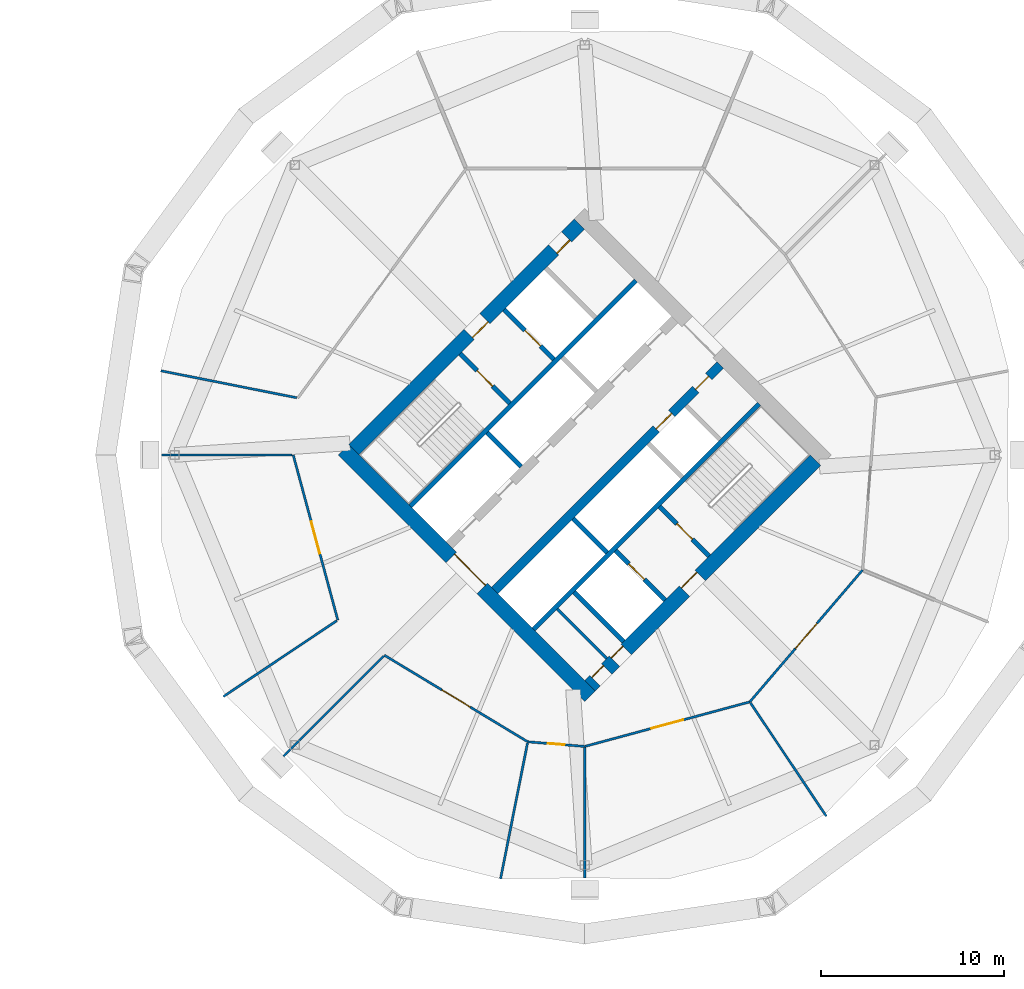
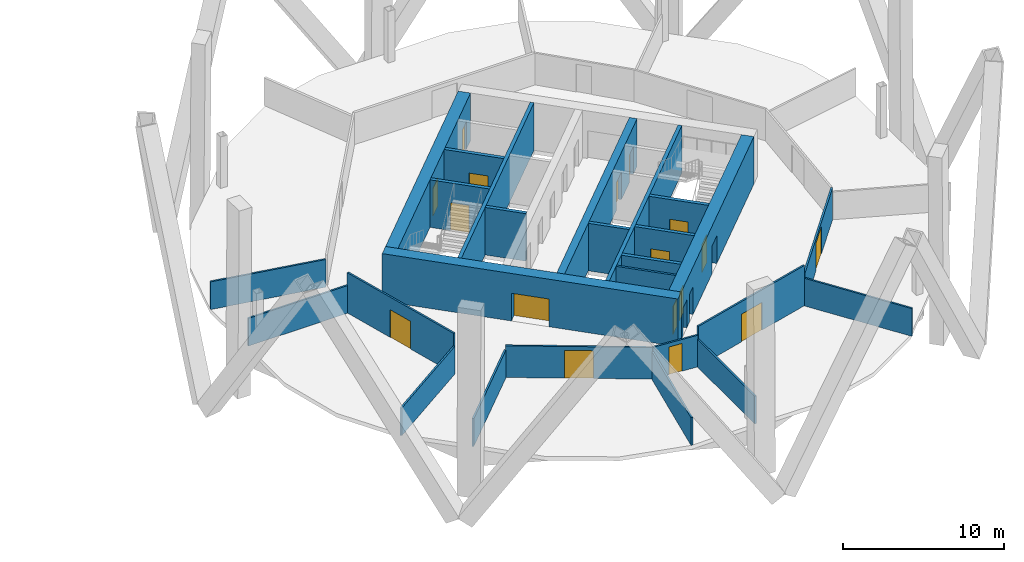
# One storey, part 6 of 10: 26 walls, 17 doors, 17 openings.
"""IFC4 building model written with IfcOpenShell, lengths in metres."""

import ifcopenshell
import ifcopenshell.guid

model = None  # the IFC model being written
_history = None  # IfcOwnerHistory: only IFC2X3 demands one
_inside = {}  # id of a spatial element -> (the spatial element, [elements in it])
_under = {}  # id of a project, library or spatial element -> (it, [spatial elements below it])
_declared = {}  # id of a project -> (the project, [libraries it declares])
_typed = {}  # id of a type object -> (the type object, [elements of that type])
_made_of = {}  # id of a material, layer set ... -> (it, [elements and type objects made of it])


def new_model(schema):
    """Start an empty IFC model of exactly this schema.

    Asked for "IFC4X3", IfcOpenShell would pick the latest addendum, in which some entities
    have other attributes; the version numbers below select the first issue.
    IFC2X3 requires an IfcOwnerHistory on every rooted entity: one is made here for all.
    """
    global model, _history
    if schema == "IFC4X3":
        model = ifcopenshell.file(schema_version=(4, 3, 0, 0))
    else:
        model = ifcopenshell.file(schema=schema)
    _inside.clear()
    _under.clear()
    _declared.clear()
    _typed.clear()
    _made_of.clear()
    _history = None
    if model.schema == "IFC2X3":
        org = make("IfcOrganization", Name="unknown")
        user = make(
            "IfcPersonAndOrganization",
            ThePerson=make("IfcPerson", FamilyName="unknown"),
            TheOrganization=org,
        )
        app = make(
            "IfcApplication",
            ApplicationDeveloper=org,
            Version="unknown",
            ApplicationFullName="unknown",
            ApplicationIdentifier="unknown",
        )
        _history = make(
            "IfcOwnerHistory",
            OwningUser=user,
            OwningApplication=app,
            ChangeAction="ADDED",
            CreationDate=0,
        )
    return model


def make(cls, **values):
    """One entity of the class cls with the attributes given. An attribute that is None is left unset."""
    return model.create_entity(
        cls, **{name: value for name, value in values.items() if value is not None}
    )


def rooted(cls, **values):
    """An entity with a GlobalId (a new one), such as an element, a storey or a relation."""
    return make(cls, GlobalId=ifcopenshell.guid.new(), OwnerHistory=_history, **values)


def si_unit(unit_type, name, prefix=None):
    """IfcSIUnit, for example si_unit("LENGTHUNIT", "METRE", prefix="MILLI")."""
    return make("IfcSIUnit", UnitType=unit_type, Prefix=prefix, Name=name)


def assignment(units):
    """IfcUnitAssignment: the units of a project."""
    return None if units is None else make("IfcUnitAssignment", Units=units)


def point(xyz):
    """IfcCartesianPoint."""
    return None if xyz is None else make("IfcCartesianPoint", Coordinates=xyz)


def direction(xyz):
    """IfcDirection."""
    return None if xyz is None else make("IfcDirection", DirectionRatios=xyz)


def frame(location, z_axis=None, x_axis=None):
    """IfcAxis2Placement3D, a coordinate frame: its origin and axes. An axis left out is left unset."""
    return make(
        "IfcAxis2Placement3D",
        Location=point(location),
        Axis=direction(z_axis),
        RefDirection=direction(x_axis),
    )


def frame_2d(location, x_axis=None):
    """IfcAxis2Placement2D, a coordinate frame in the plane: its origin and x axis."""
    return make(
        "IfcAxis2Placement2D", Location=point(location), RefDirection=direction(x_axis)
    )


def origin():
    """The frame at (0, 0, 0) with its axes left unset."""
    return frame((0.0, 0.0, 0.0))


def place(relative_to, where):
    """IfcLocalPlacement: puts the frame where relative to a parent placement (None: the world)."""
    return make(
        "IfcLocalPlacement", PlacementRelTo=relative_to, RelativePlacement=where
    )


def context(
    kind, dimensions, precision=None, world=None, true_north=None, identifier=None
):
    """IfcGeometricRepresentationContext, for example the 3D "Model" context."""
    return make(
        "IfcGeometricRepresentationContext",
        ContextIdentifier=identifier,
        ContextType=kind,
        CoordinateSpaceDimension=dimensions,
        Precision=precision,
        WorldCoordinateSystem=world,
        TrueNorth=true_north,
    )


def subcontext(parent, identifier, kind, view, scale=None):
    """IfcGeometricRepresentationSubContext, for example "Body" below "Model"."""
    return make(
        "IfcGeometricRepresentationSubContext",
        ContextIdentifier=identifier,
        ContextType=kind,
        ParentContext=parent,
        TargetScale=scale,
        TargetView=view,
    )


def project(units=None, contexts=None):
    """IfcProject with its units and contexts."""
    return rooted(
        "IfcProject",
        Name="project",
        RepresentationContexts=contexts,
        UnitsInContext=assignment(units),
    )


def spatial(cls, under=None, at=None, **own):
    """A site, building, storey or space (cls), placed at a placement, below another one or the project."""
    s = rooted(cls, ObjectPlacement=at, **own)
    if under is not None:
        _under.setdefault(under.id(), (under, []))[1].append(s)
    return s


def profile(cls, at=None, kind="AREA", **sizes):
    """A parametric profile (cls). Its sizes go by their IFC names, for example OverallWidth=200.0."""
    return make(cls, ProfileType=kind, Position=at, **sizes)


def rectangle(**sizes):
    """IfcRectangleProfileDef."""
    return profile("IfcRectangleProfileDef", **sizes)


def extrude(swept, where, along, depth):
    """IfcExtrudedAreaSolid: the profile swept, set in the frame where, extruded along a direction by depth."""
    return make(
        "IfcExtrudedAreaSolid",
        SweptArea=swept,
        Position=where,
        ExtrudedDirection=direction(along),
        Depth=depth,
    )


def shape(context_of_items, identifier, shape_type, items):
    """IfcShapeRepresentation: the items that make up one representation, for example the "Body"."""
    return make(
        "IfcShapeRepresentation",
        ContextOfItems=context_of_items,
        RepresentationIdentifier=identifier,
        RepresentationType=shape_type,
        Items=items,
    )


def material(Name=None, Category=None):
    """IfcMaterial."""
    return make("IfcMaterial", Name=Name, Category=Category)


def layer(
    of_material, thickness, ventilated=None, Name=None, Category=None, Priority=None
):
    """IfcMaterialLayer: one layer of a wall or slab, of a material (None: an air gap)."""
    return make(
        "IfcMaterialLayer",
        Material=of_material,
        LayerThickness=thickness,
        IsVentilated=ventilated,
        Name=Name,
        Category=Category,
        Priority=Priority,
    )


def layer_set(layers, Name=None):
    """IfcMaterialLayerSet."""
    return make("IfcMaterialLayerSet", MaterialLayers=layers, LayerSetName=Name)


def made_of(thing, what):
    """Note that an element or type object is made of a material, layer set ...; save() writes the relation."""
    if what is not None:
        _made_of.setdefault(what.id(), (what, []))[1].append(thing)
    return thing


def type_object(cls, material=None, **own):
    """A type object (cls), such as IfcWallType, which elements share."""
    return made_of(rooted(cls, **own), material)


def element(
    cls,
    number,
    at=None,
    inside=None,
    cuts=None,
    type_object=None,
    material=None,
    context=None,
    identifier="Body",
    shape_type=None,
    held_by="IfcProductDefinitionShape",
    body=None,
    shapes=None,
    **own,
):
    """One element of the class cls, such as IfcWall. Its Tag is "e" and its number.

    at: its placement. inside: the storey or other place that contains it. cuts: it is an
    opening in that element (IfcRelVoidsElement). A single representation is given by context,
    identifier, shape_type and body (its items); several are given by shapes. held_by: the class
    of the entity that holds the representations. save() writes the other relations.
    """
    e = rooted(cls, Tag="e%d" % number, ObjectPlacement=at, **own)
    if body is not None:
        shapes = [shape(context, identifier, shape_type, body)]
    if shapes is not None:
        e.Representation = make(held_by, Representations=shapes)
    if inside is not None:
        _inside.setdefault(inside.id(), (inside, []))[1].append(e)
    if cuts is not None:
        rooted(
            "IfcRelVoidsElement", RelatingBuildingElement=cuts, RelatedOpeningElement=e
        )
    if type_object is not None:
        _typed.setdefault(type_object.id(), (type_object, []))[1].append(e)
    return made_of(e, material)


def fill(opening, filler):
    """IfcRelFillsElement: the door or window that sits in an opening."""
    return rooted(
        "IfcRelFillsElement",
        RelatingOpeningElement=opening,
        RelatedBuildingElement=filler,
    )


def aggregate(whole, parts):
    """IfcRelAggregates: a whole, such as a stair, and the parts it consists of."""
    return rooted("IfcRelAggregates", RelatingObject=whole, RelatedObjects=parts)


def save(model, path):
    """Write the relations noted so far, then the file.

    IfcRelAggregates (storeys below a building ...), IfcRelContainedInSpatialStructure (elements
    in a storey), IfcRelDefinesByType, IfcRelAssociatesMaterial and IfcRelDeclares: one each for
    every whole, place, type object, material and project.
    """
    for whole, parts in _under.values():
        aggregate(whole, parts)
    for where, things in _inside.values():
        rooted(
            "IfcRelContainedInSpatialStructure",
            RelatedElements=things,
            RelatingStructure=where,
        )
    for kind, things in _typed.values():
        rooted("IfcRelDefinesByType", RelatedObjects=things, RelatingType=kind)
    for what, things in _made_of.values():
        rooted("IfcRelAssociatesMaterial", RelatedObjects=things, RelatingMaterial=what)
    for by, libraries in _declared.values():
        rooted("IfcRelDeclares", RelatingContext=by, RelatedDefinitions=libraries)
    model.write(path)


model = new_model("IFC4")

# Units and contexts
model_context = context("Model", 3, precision=1e-05, world=origin(), true_north=direction((0.0, 1.0)))
body_context = subcontext(model_context, "Body", "Model", "MODEL_VIEW")
ifc_project = project(units=[si_unit("LENGTHUNIT", "METRE"), si_unit("AREAUNIT", "SQUARE_METRE"), si_unit("VOLUMEUNIT", "CUBIC_METRE"), si_unit("PLANEANGLEUNIT", "RADIAN"), si_unit("MASSUNIT", "GRAM", prefix="KILO")], contexts=[model_context])

# Site, building, storey
site_placement = place(None, origin())
site = spatial("IfcSite", under=ifc_project, at=site_placement, CompositionType="ELEMENT")
building_placement = place(site_placement, origin())
building = spatial("IfcBuilding", under=site, at=building_placement, Name="Ogive Gate Towers", CompositionType="ELEMENT")
storey_placement = place(building_placement, frame((0.0, 0.0, 119.10009765625)))
storey = spatial("IfcBuildingStorey", under=building, at=storey_placement, Name="L28", CompositionType="ELEMENT", Elevation=119.10009765625)

# Wall, openings, doors
ifc_material_1 = material(Name="Concrete C60/75", Category="concrete")
ifc_layer_1 = layer(ifc_material_1, 0.800048828125)
ifc_layer_set_1 = layer_set([ifc_layer_1], Name="Core wall 800 mm")
wall_type_1 = type_object("IfcWallType", Name="Core wall 800 mm", PredefinedType="SHEAR", material=ifc_layer_set_1)
wall_1_placement = place(storey_placement, frame((36.28271484375, -12.58642578125, 0.0), z_axis=(0.0, 0.0, 1.0), x_axis=(0.707106781187, 0.707106781187, 0.0)))
wall_1 = element("IfcWall", 1, at=wall_1_placement, inside=storey, type_object=wall_type_1, Name="T2 L28 Core wall 800 mm", PredefinedType="SHEAR", context=body_context, shape_type="SweptSolid", body=[
    extrude(rectangle(XDim=17.400146484375, YDim=0.800048828125, at=frame_2d((8.7001953125, 0.0))), origin(), (0.0, 0.0, 1.0), 3.599853515625),
])
opening_1_placement = place(wall_1_placement, frame((7.300048828125, 0.0, 0.0)))
opening_1 = element("IfcOpeningElement", 2, at=opening_1_placement, cuts=wall_1, Name="Opening KD-T2-L28-16", PredefinedType="OPENING", context=body_context, shape_type="SweptSolid", body=[
    extrude(rectangle(XDim=1.199951171875, YDim=2.10009765625, at=frame_2d((0.60009765625, 1.050048828125))), frame((0.0, 0.41015625, 0.0), z_axis=(0.0, -1.0, 0.0), x_axis=(1.0, 0.0, 0.0)), (0.0, 0.0, 1.0), 0.820068359375),
])
opening_2_placement = place(wall_1_placement, frame((0.39990234375, 0.0, 0.0)))
opening_2 = element("IfcOpeningElement", 3, at=opening_2_placement, cuts=wall_1, Name="Opening KD-T2-L28-18", PredefinedType="OPENING", context=body_context, shape_type="SweptSolid", body=[
    extrude(rectangle(XDim=0.89990234375, YDim=2.10009765625, at=frame_2d((0.449951171875, 1.050048828125))), frame((0.0, 0.41015625, 0.0), z_axis=(0.0, -1.0, 0.0), x_axis=(1.0, 0.0, 0.0)), (0.0, 0.0, 1.0), 0.820068359375),
])
opening_3_placement = place(wall_1_placement, frame((1.89990234375, 0.0, 0.0)))
opening_3 = element("IfcOpeningElement", 4, at=opening_3_placement, cuts=wall_1, Name="Opening KD-T2-L28-19", PredefinedType="OPENING", context=body_context, shape_type="SweptSolid", body=[
    extrude(rectangle(XDim=0.89990234375, YDim=2.10009765625, at=frame_2d((0.449951171875, 1.050048828125))), frame((0.0, 0.41015625, 0.0), z_axis=(0.0, -1.0, 0.0), x_axis=(1.0, 0.0, 0.0)), (0.0, 0.0, 1.0), 0.820068359375),
])
ifc_material_2 = material(Name="Timber door", Category="wood")
door_type_1 = type_object("IfcDoorType", Name="Core WC door 900 x 2100", OperationType="NOTDEFINED", PredefinedType="DOOR", material=ifc_material_2)
door_1_placement = place(opening_2_placement, origin())
door_1 = element("IfcDoor", 5, at=door_1_placement, inside=storey, type_object=door_type_1, Name="T2 L28 Core door", OperationType="SINGLE_SWING_LEFT", OverallHeight=2.10009765625, OverallWidth=0.89990234375, PredefinedType="DOOR", context=body_context, shape_type="SweptSolid", body=[
    extrude(rectangle(XDim=0.89990234375, YDim=2.10009765625, at=frame_2d((0.449951171875, 1.050048828125))), frame((0.0, 0.27490234375, 0.0), z_axis=(0.0, -1.0, 0.0), x_axis=(1.0, 0.0, 0.0)), (0.0, 0.0, 1.0), 0.050048828125),
])
fill(opening_2, door_1)
door_2_placement = place(opening_3_placement, origin())
door_2 = element("IfcDoor", 6, at=door_2_placement, inside=storey, type_object=door_type_1, Name="T2 L28 Core door", OperationType="SINGLE_SWING_RIGHT", OverallHeight=2.10009765625, OverallWidth=0.89990234375, PredefinedType="DOOR", context=body_context, shape_type="SweptSolid", body=[
    extrude(rectangle(XDim=0.89990234375, YDim=2.10009765625, at=frame_2d((0.449951171875, 1.050048828125))), frame((0.0, 0.27490234375, 0.0), z_axis=(0.0, -1.0, 0.0), x_axis=(1.0, 0.0, 0.0)), (0.0, 0.0, 1.0), 0.050048828125),
])
fill(opening_3, door_2)
ifc_material_3 = material(Name="Steel fire door", Category="steel")
door_type_2 = type_object("IfcDoorType", Name="Core door FD60S 1200 x 2100", OperationType="NOTDEFINED", PredefinedType="DOOR", material=ifc_material_3)
door_3_placement = place(opening_1_placement, origin())
door_3 = element("IfcDoor", 7, at=door_3_placement, inside=storey, type_object=door_type_2, Name="T2 L28 Fire-fighting lobby door", OperationType="SINGLE_SWING_LEFT", OverallHeight=2.10009765625, OverallWidth=1.199951171875, PredefinedType="DOOR", context=body_context, shape_type="SweptSolid", body=[
    extrude(rectangle(XDim=1.199951171875, YDim=2.10009765625, at=frame_2d((0.60009765625, 1.050048828125))), frame((0.0, 0.27490234375, 0.0), z_axis=(0.0, -1.0, 0.0), x_axis=(1.0, 0.0, 0.0)), (0.0, 0.0, 1.0), 0.050048828125),
])
fill(opening_1, door_3)

wall_2_placement = place(storey_placement, frame((23.41357421875, 0.28271484375, 0.0), z_axis=(0.0, 0.0, 1.0), x_axis=(0.707106781187, 0.707106781187, 0.0)))
wall_2 = element("IfcWall", 8, at=wall_2_placement, inside=storey, type_object=wall_type_1, Name="T2 L28 Core wall 800 mm", PredefinedType="SHEAR", context=body_context, shape_type="SweptSolid", body=[
    extrude(rectangle(XDim=17.400146484375, YDim=0.800048828125, at=frame_2d((8.7001953125, 0.0))), origin(), (0.0, 0.0, 1.0), 3.599853515625),
])
opening_4_placement = place(wall_2_placement, frame((8.89990234375, 0.0, 0.0)))
opening_4 = element("IfcOpeningElement", 9, at=opening_4_placement, cuts=wall_2, Name="Opening KD-T2-L28-15", PredefinedType="OPENING", context=body_context, shape_type="SweptSolid", body=[
    extrude(rectangle(XDim=1.199951171875, YDim=2.10009765625, at=frame_2d((0.60009765625, 1.050048828125))), frame((0.0, 0.41015625, 0.0), z_axis=(0.0, -1.0, 0.0), x_axis=(1.0, 0.0, 0.0)), (0.0, 0.0, 1.0), 0.820068359375),
])
opening_5_placement = place(wall_2_placement, frame((15.39990234375, 0.0, 0.0)))
opening_5 = element("IfcOpeningElement", 10, at=opening_5_placement, cuts=wall_2, Name="Opening KD-T2-L28-17", PredefinedType="OPENING", context=body_context, shape_type="SweptSolid", body=[
    extrude(rectangle(XDim=1.0, YDim=2.10009765625, at=frame_2d((0.5, 1.050048828125))), frame((0.0, 0.41015625, 0.0), z_axis=(0.0, -1.0, 0.0), x_axis=(1.0, 0.0, 0.0)), (0.0, 0.0, 1.0), 0.820068359375),
])
door_type_3 = type_object("IfcDoorType", Name="Accessible WC door 1000 x 2100", OperationType="NOTDEFINED", PredefinedType="DOOR", material=ifc_material_2)
door_4_placement = place(opening_5_placement, origin())
door_4 = element("IfcDoor", 11, at=door_4_placement, inside=storey, type_object=door_type_3, Name="T2 L28 Core door", OperationType="SINGLE_SWING_RIGHT", OverallHeight=2.10009765625, OverallWidth=1.0, PredefinedType="DOOR", context=body_context, shape_type="SweptSolid", body=[
    extrude(rectangle(XDim=1.0, YDim=2.10009765625, at=frame_2d((0.5, 1.050048828125))), frame((0.0, -0.22509765625, 0.0), z_axis=(0.0, -1.0, 0.0), x_axis=(1.0, 0.0, 0.0)), (0.0, 0.0, 1.0), 0.050048828125),
])
fill(opening_5, door_4)
door_5_placement = place(opening_4_placement, origin())
door_5 = element("IfcDoor", 12, at=door_5_placement, inside=storey, type_object=door_type_2, Name="T2 L28 Fire-fighting lobby door", OperationType="SINGLE_SWING_RIGHT", OverallHeight=2.10009765625, OverallWidth=1.199951171875, PredefinedType="DOOR", context=body_context, shape_type="SweptSolid", body=[
    extrude(rectangle(XDim=1.199951171875, YDim=2.10009765625, at=frame_2d((0.60009765625, 1.050048828125))), frame((0.0, -0.22509765625, 0.0), z_axis=(0.0, -1.0, 0.0), x_axis=(1.0, 0.0, 0.0)), (0.0, 0.0, 1.0), 0.050048828125),
])
fill(opening_4, door_5)

# Wall, opening, door
wall_3_placement = place(storey_placement, frame((36.28271484375, -13.152099609375, 0.0), z_axis=(0.0, 0.0, 1.0), x_axis=(-0.707106781187, 0.707106781187, 0.0)))
wall_3 = element("IfcWall", 13, at=wall_3_placement, inside=storey, type_object=wall_type_1, Name="T2 L28 Core wall 800 mm", PredefinedType="SHEAR", context=body_context, shape_type="SweptSolid", body=[
    extrude(rectangle(XDim=18.999755859375, YDim=0.800048828125, at=frame_2d((9.5, 0.0))), origin(), (0.0, 0.0, 1.0), 3.599853515625),
])
opening_6_placement = place(wall_3_placement, frame((8.300048828125, 0.0, 0.0)))
opening_6 = element("IfcOpeningElement", 14, at=opening_6_placement, cuts=wall_3, Name="Opening KD-T2-L28-01", PredefinedType="OPENING", context=body_context, shape_type="SweptSolid", body=[
    extrude(rectangle(XDim=2.39990234375, YDim=2.10009765625, at=frame_2d((1.199951171875, 1.050048828125))), frame((0.0, 0.41015625, 0.0), z_axis=(0.0, -1.0, 0.0), x_axis=(1.0, 0.0, 0.0)), (0.0, 0.0, 1.0), 0.820068359375),
])
door_type_4 = type_object("IfcDoorType", Name="Core double door FD60S 2400 x 2100", OperationType="DOUBLE_DOOR_SINGLE_SWING", PredefinedType="DOOR", material=ifc_material_3)
door_6_placement = place(opening_6_placement, origin())
door_6 = element("IfcDoor", 15, at=door_6_placement, inside=storey, type_object=door_type_4, Name="T2 L28 Core door double", OperationType="DOUBLE_DOOR_SINGLE_SWING", OverallHeight=2.10009765625, OverallWidth=2.39990234375, PredefinedType="DOOR", context=body_context, shape_type="SweptSolid", body=[
    extrude(rectangle(XDim=2.39990234375, YDim=2.10009765625, at=frame_2d((1.199951171875, 1.050048828125))), frame((0.0, -0.22509765625, 0.0), z_axis=(0.0, -1.0, 0.0), x_axis=(1.0, 0.0, 0.0)), (0.0, 0.0, 1.0), 0.050048828125),
])
fill(opening_6, door_6)

# Walls
ifc_material_4 = material(Name="Gypsum board partition")
ifc_layer_2 = layer(ifc_material_4, 0.125)
ifc_layer_set_2 = layer_set([ifc_layer_2], Name="Partition 125")
wall_type_2 = type_object("IfcWallType", Name="Partition 125", PredefinedType="PARTITIONING", material=ifc_layer_set_2)
wall_4_placement = place(storey_placement, frame((12.8916015625, 4.5888671875, 0.0), z_axis=(0.0, 0.0, 1.0), x_axis=(0.980844513311, -0.194792301461, 0.0)))
element("IfcWall", 16, at=wall_4_placement, inside=storey, type_object=wall_type_2, Name="Partition T2-L28-005", PredefinedType="PARTITIONING", context=body_context, shape_type="SweptSolid", body=[
    extrude(rectangle(XDim=7.55517578125, YDim=0.125, at=frame_2d((3.777587890625, 0.0))), origin(), (0.0, 0.0, 1.0), 2.099853515625),
])
wall_5_placement = place(storey_placement, frame((12.94091796875, 0.0, 0.0), z_axis=(0.0, 0.0, 1.0), x_axis=(1.0, 0.0, 0.0)))
element("IfcWall", 17, at=wall_5_placement, inside=storey, type_object=wall_type_2, Name="Partition T2-L28-006", PredefinedType="PARTITIONING", context=body_context, shape_type="SweptSolid", body=[
    extrude(rectangle(XDim=7.106689453125, YDim=0.125, at=frame_2d((3.55322265625, 0.0))), origin(), (0.0, 0.0, 1.0), 2.099853515625),
])
wall_6_placement = place(storey_placement, frame((16.305419921875, -13.168701171875, 0.0), z_axis=(0.0, 0.0, 1.0), x_axis=(0.831291959619, 0.55583601707, 0.0)))
element("IfcWall", 18, at=wall_6_placement, inside=storey, type_object=wall_type_2, Name="Partition T2-L28-007", PredefinedType="PARTITIONING", context=body_context, shape_type="SweptSolid", body=[
    extrude(rectangle(XDim=7.43701171875, YDim=0.125, at=frame_2d((3.718505859375, 0.0))), origin(), (0.0, 0.0, 1.0), 2.099853515625),
])
wall_7_placement = place(storey_placement, frame((19.5830078125, -16.4169921875, 0.0), z_axis=(0.0, 0.0, 1.0), x_axis=(0.707106781187, 0.707106781187, 0.0)))
element("IfcWall", 19, at=wall_7_placement, inside=storey, type_object=wall_type_2, Name="Partition T2-L28-008", PredefinedType="PARTITIONING", context=body_context, shape_type="SweptSolid", body=[
    extrude(rectangle(XDim=7.71337890625, YDim=0.125, at=frame_2d((3.856689453125, 0.0))), origin(), (0.0, 0.0, 1.0), 2.099853515625),
])
wall_8_placement = place(storey_placement, frame((31.4111328125, -23.1083984375, 0.0), z_axis=(0.0, 0.0, 1.0), x_axis=(0.194792301461, 0.980844513311, 0.0)))
element("IfcWall", 20, at=wall_8_placement, inside=storey, type_object=wall_type_2, Name="Partition T2-L28-009", PredefinedType="PARTITIONING", context=body_context, shape_type="SweptSolid", body=[
    extrude(rectangle(XDim=7.55517578125, YDim=0.125, at=frame_2d((3.777587890625, 0.0))), origin(), (0.0, 0.0, 1.0), 2.099853515625),
])
wall_9_placement = place(storey_placement, frame((36.0, -23.05908203125, 0.0), z_axis=(0.0, 0.0, 1.0), x_axis=(0.0, 1.0, 0.0)))
element("IfcWall", 21, at=wall_9_placement, inside=storey, type_object=wall_type_2, Name="Partition T2-L28-010", PredefinedType="PARTITIONING", context=body_context, shape_type="SweptSolid", body=[
    extrude(rectangle(XDim=7.106689453125, YDim=0.125, at=frame_2d((3.55322265625, 0.0))), origin(), (0.0, 0.0, 1.0), 2.099853515625),
])
wall_10_placement = place(storey_placement, frame((49.168701171875, -19.694580078125, 0.0), z_axis=(0.0, 0.0, 1.0), x_axis=(-0.55583601707, 0.831291959619, 0.0)))
element("IfcWall", 22, at=wall_10_placement, inside=storey, type_object=wall_type_2, Name="Partition T2-L28-011", PredefinedType="PARTITIONING", context=body_context, shape_type="SweptSolid", body=[
    extrude(rectangle(XDim=7.43701171875, YDim=0.125, at=frame_2d((3.718505859375, 0.0))), origin(), (0.0, 0.0, 1.0), 2.099853515625),
])

# Wall, opening, door
wall_11_placement = place(storey_placement, frame((20.110107421875, 0.0, 0.0), z_axis=(0.0, 0.0, 1.0), x_axis=(0.26062801801, -0.965439297019, 0.0)))
wall_11 = element("IfcWall", 23, at=wall_11_placement, inside=storey, type_object=wall_type_2, Name="Partition T2-L28-013", PredefinedType="PARTITIONING", context=body_context, shape_type="SweptSolid", body=[
    extrude(rectangle(XDim=9.322509765625, YDim=0.125, at=frame_2d((4.6611328125, 0.0))), origin(), (0.0, 0.0, 1.0), 3.0498046875),
])
opening_7_placement = place(wall_11_placement, frame((3.760986328125, 0.0, 0.0)))
opening_7 = element("IfcOpeningElement", 24, at=opening_7_placement, cuts=wall_11, Name="Opening T2-L28-D01", PredefinedType="OPENING", context=body_context, shape_type="SweptSolid", body=[
    extrude(rectangle(XDim=1.800048828125, YDim=2.10009765625, at=frame_2d((0.89990234375, 1.050048828125))), frame((0.0, 0.072509765625, 0.0), z_axis=(0.0, -1.0, 0.0), x_axis=(1.0, 0.0, 0.0)), (0.0, 0.0, 1.0), 0.14501953125),
])
door_type_5 = type_object("IfcDoorType", Name="Door pair 1800", OperationType="NOTDEFINED", PredefinedType="DOOR", material=ifc_material_2)
door_7_placement = place(opening_7_placement, origin())
door_7 = element("IfcDoor", 25, at=door_7_placement, inside=storey, type_object=door_type_5, Name="Door T2-L28-D01", OperationType="DOUBLE_DOOR_DOUBLE_SWING", OverallHeight=2.10009765625, OverallWidth=1.800048828125, PredefinedType="DOOR", context=body_context, shape_type="SweptSolid", body=[
    extrude(rectangle(XDim=1.800048828125, YDim=2.10009765625, at=frame_2d((0.89990234375, 1.050048828125))), frame((0.0, 0.02490234375, 0.0), z_axis=(0.0, -1.0, 0.0), x_axis=(1.0, 0.0, 0.0)), (0.0, 0.0, 1.0), 0.050048828125),
])
fill(opening_7, door_7)

wall_12_placement = place(storey_placement, frame((25.081298828125, -10.918701171875, 0.0), z_axis=(0.0, 0.0, 1.0), x_axis=(0.856049930314, -0.516893138676, 0.0)))
wall_12 = element("IfcWall", 26, at=wall_12_placement, inside=storey, type_object=wall_type_2, Name="Partition T2-L28-014", PredefinedType="PARTITIONING", context=body_context, shape_type="SweptSolid", body=[
    extrude(rectangle(XDim=9.127685546875, YDim=0.125, at=frame_2d((4.56396484375, 0.0))), origin(), (0.0, 0.0, 1.0), 2.39990234375),
])
opening_8_placement = place(wall_12_placement, frame((3.6640625, 0.0, 0.0)))
opening_8 = element("IfcOpeningElement", 27, at=opening_8_placement, cuts=wall_12, Name="Opening T2-L28-D02", PredefinedType="OPENING", context=body_context, shape_type="SweptSolid", body=[
    extrude(rectangle(XDim=1.800048828125, YDim=2.10009765625, at=frame_2d((0.89990234375, 1.050048828125))), frame((0.0, 0.072509765625, 0.0), z_axis=(0.0, -1.0, 0.0), x_axis=(1.0, 0.0, 0.0)), (0.0, 0.0, 1.0), 0.14501953125),
])
door_8_placement = place(opening_8_placement, origin())
door_8 = element("IfcDoor", 28, at=door_8_placement, inside=storey, type_object=door_type_5, Name="Door T2-L28-D02", OperationType="DOUBLE_DOOR_DOUBLE_SWING", OverallHeight=2.10009765625, OverallWidth=1.800048828125, PredefinedType="DOOR", context=body_context, shape_type="SweptSolid", body=[
    extrude(rectangle(XDim=1.800048828125, YDim=2.10009765625, at=frame_2d((0.89990234375, 1.050048828125))), frame((0.0, 0.02490234375, 0.0), z_axis=(0.0, -1.0, 0.0), x_axis=(1.0, 0.0, 0.0)), (0.0, 0.0, 1.0), 0.050048828125),
])
fill(opening_8, door_8)

wall_13_placement = place(storey_placement, frame((32.89501953125, -15.63671875, 0.0), z_axis=(0.0, 0.0, 1.0), x_axis=(0.996692263461, -0.081268271521, 0.0)))
wall_13 = element("IfcWall", 29, at=wall_13_placement, inside=storey, type_object=wall_type_2, Name="Partition T2-L28-015", PredefinedType="PARTITIONING", context=body_context, shape_type="SweptSolid", body=[
    extrude(rectangle(XDim=3.115234375, YDim=0.125, at=frame_2d((1.5576171875, 0.0))), origin(), (0.0, 0.0, 1.0), 2.39990234375),
])
opening_9_placement = place(wall_13_placement, frame((1.10791015625, 0.0, 0.0)))
opening_9 = element("IfcOpeningElement", 30, at=opening_9_placement, cuts=wall_13, Name="Opening T2-L28-D03", PredefinedType="OPENING", context=body_context, shape_type="SweptSolid", body=[
    extrude(rectangle(XDim=0.89990234375, YDim=2.10009765625, at=frame_2d((0.449951171875, 1.050048828125))), frame((0.0, 0.072509765625, 0.0), z_axis=(0.0, -1.0, 0.0), x_axis=(1.0, 0.0, 0.0)), (0.0, 0.0, 1.0), 0.14501953125),
])
door_type_6 = type_object("IfcDoorType", Name="Door 900", OperationType="NOTDEFINED", PredefinedType="DOOR", material=ifc_material_2)
door_9_placement = place(opening_9_placement, origin())
door_9 = element("IfcDoor", 31, at=door_9_placement, inside=storey, type_object=door_type_6, Name="Door T2-L28-D03", OperationType="SINGLE_SWING_RIGHT", OverallHeight=2.10009765625, OverallWidth=0.89990234375, PredefinedType="DOOR", context=body_context, shape_type="SweptSolid", body=[
    extrude(rectangle(XDim=0.89990234375, YDim=2.10009765625, at=frame_2d((0.449951171875, 1.050048828125))), frame((0.0, 0.02490234375, 0.0), z_axis=(0.0, -1.0, 0.0), x_axis=(1.0, 0.0, 0.0)), (0.0, 0.0, 1.0), 0.050048828125),
])
fill(opening_9, door_9)

wall_14_placement = place(storey_placement, frame((36.0, -15.889892578125, 0.0), z_axis=(0.0, 0.0, 1.0), x_axis=(0.965439297019, 0.26062801801, 0.0)))
wall_14 = element("IfcWall", 32, at=wall_14_placement, inside=storey, type_object=wall_type_2, Name="Partition T2-L28-016", PredefinedType="PARTITIONING", context=body_context, shape_type="SweptSolid", body=[
    extrude(rectangle(XDim=9.322509765625, YDim=0.125, at=frame_2d((4.6611328125, 0.0))), origin(), (0.0, 0.0, 1.0), 3.0498046875),
])
opening_10_placement = place(wall_14_placement, frame((3.760986328125, 0.0, 0.0)))
opening_10 = element("IfcOpeningElement", 33, at=opening_10_placement, cuts=wall_14, Name="Opening T2-L28-D04", PredefinedType="OPENING", context=body_context, shape_type="SweptSolid", body=[
    extrude(rectangle(XDim=1.800048828125, YDim=2.10009765625, at=frame_2d((0.89990234375, 1.050048828125))), frame((0.0, 0.072509765625, 0.0), z_axis=(0.0, -1.0, 0.0), x_axis=(1.0, 0.0, 0.0)), (0.0, 0.0, 1.0), 0.14501953125),
])
door_10_placement = place(opening_10_placement, origin())
door_10 = element("IfcDoor", 34, at=door_10_placement, inside=storey, type_object=door_type_5, Name="Door T2-L28-D04", OperationType="DOUBLE_DOOR_DOUBLE_SWING", OverallHeight=2.10009765625, OverallWidth=1.800048828125, PredefinedType="DOOR", context=body_context, shape_type="SweptSolid", body=[
    extrude(rectangle(XDim=1.800048828125, YDim=2.10009765625, at=frame_2d((0.89990234375, 1.050048828125))), frame((0.0, 0.02490234375, 0.0), z_axis=(0.0, -1.0, 0.0), x_axis=(1.0, 0.0, 0.0)), (0.0, 0.0, 1.0), 0.050048828125),
])
fill(opening_10, door_10)

wall_15_placement = place(storey_placement, frame((45.000244140625, -13.460205078125, 0.0), z_axis=(0.0, 0.0, 1.0), x_axis=(0.649829752369, 0.760079793795, 0.0)))
wall_15 = element("IfcWall", 35, at=wall_15_placement, inside=storey, type_object=wall_type_2, Name="Partition T2-L28-017", PredefinedType="PARTITIONING", context=body_context, shape_type="SweptSolid", body=[
    extrude(rectangle(XDim=9.45556640625, YDim=0.125, at=frame_2d((4.727783203125, 0.0))), origin(), (0.0, 0.0, 1.0), 2.39990234375),
])
opening_11_placement = place(wall_15_placement, frame((3.827880859375, 0.0, 0.0)))
opening_11 = element("IfcOpeningElement", 36, at=opening_11_placement, cuts=wall_15, Name="Opening T2-L28-D05", PredefinedType="OPENING", context=body_context, shape_type="SweptSolid", body=[
    extrude(rectangle(XDim=1.800048828125, YDim=2.10009765625, at=frame_2d((0.89990234375, 1.050048828125))), frame((0.0, 0.072509765625, 0.0), z_axis=(0.0, -1.0, 0.0), x_axis=(1.0, 0.0, 0.0)), (0.0, 0.0, 1.0), 0.14501953125),
])
door_11_placement = place(opening_11_placement, origin())
door_11 = element("IfcDoor", 37, at=door_11_placement, inside=storey, type_object=door_type_5, Name="Door T2-L28-D05", OperationType="DOUBLE_DOOR_DOUBLE_SWING", OverallHeight=2.10009765625, OverallWidth=1.800048828125, PredefinedType="DOOR", context=body_context, shape_type="SweptSolid", body=[
    extrude(rectangle(XDim=1.800048828125, YDim=2.10009765625, at=frame_2d((0.89990234375, 1.050048828125))), frame((0.0, 0.02490234375, 0.0), z_axis=(0.0, -1.0, 0.0), x_axis=(1.0, 0.0, 0.0)), (0.0, 0.0, 1.0), 0.050048828125),
])
fill(opening_11, door_11)

# Walls
ifc_layer_3 = layer(ifc_material_4, 0.14990234375)
ifc_layer_set_3 = layer_set([ifc_layer_3], Name="Room partition 150 mm")
wall_type_3 = type_object("IfcWallType", Name="Room partition 150 mm", PredefinedType="PARTITIONING", material=ifc_layer_set_3)
wall_16_placement = place(storey_placement, frame((37.2021484375, -11.1015625, 0.0), z_axis=(0.0, 0.0, 1.0), x_axis=(-0.707138693938, 0.707074866995, 0.0)))
element("IfcWall", 38, at=wall_16_placement, inside=storey, type_object=wall_type_3, Name="T2 L28 Room partition 150 mm", PredefinedType="PARTITIONING", context=body_context, shape_type="SweptSolid", body=[
    extrude(rectangle(XDim=3.824951171875, YDim=0.14990234375, at=frame_2d((1.91259765625, 0.0))), origin(), (0.0, 0.0, 1.0), 3.599853515625),
])
ifc_layer_4 = layer(ifc_material_1, 0.25)
ifc_layer_set_4 = layer_set([ifc_layer_4], Name="Shaft wall 250 mm")
wall_type_4 = type_object("IfcWallType", Name="Shaft wall 250 mm", PredefinedType="SHEAR", material=ifc_layer_set_4)
for number, where, z_axis, x_axis, name in (
    (39, (33.206787109375, -9.510498046875, 0.0), (0.0, 0.0, 1.0), (0.707106781187, 0.707106781187, 0.0), "T2 L28 Shaft wall 250 mm"),
    (40, (26.489501953125, -2.793212890625, 0.0), (0.0, 0.0, 1.0), (0.707106781187, 0.707106781187, 0.0), "T2 L28 Shaft wall 250 mm"),
):
    element("IfcWall", number, at=place(storey_placement, frame(where, z_axis=z_axis, x_axis=x_axis)), inside=storey, type_object=wall_type_4, Name=name, PredefinedType="SHEAR", context=body_context, shape_type="SweptSolid", body=[
        extrude(rectangle(XDim=17.400146484375, YDim=0.25, at=frame_2d((8.7001953125, 0.0))), origin(), (0.0, 0.0, 1.0), 3.599853515625),
    ])
wall_17_placement = place(storey_placement, frame((38.121337890625, -10.182373046875, 0.0), z_axis=(0.0, 0.0, 1.0), x_axis=(-0.707138693938, 0.707074866995, 0.0)))
element("IfcWall", 41, at=wall_17_placement, inside=storey, type_object=wall_type_4, Name="T2 L28 Shaft wall 250 mm", PredefinedType="SHEAR", context=body_context, shape_type="SweptSolid", body=[
    extrude(rectangle(XDim=3.824951171875, YDim=0.25, at=frame_2d((1.91259765625, 0.0))), origin(), (0.0, 0.0, 1.0), 3.599853515625),
])
for number, where, z_axis, x_axis, name in (
    (42, (37.2197265625, -5.321044921875, 0.0), (0.0, 0.0, 1.0), (-0.707106781187, 0.707106781187, 0.0), "T2 L28 Shaft wall 250 mm"),
    (43, (32.53515625, -0.636474609375, 0.0), (0.0, 0.0, 1.0), (-0.707106781187, 0.707106781187, 0.0), "T2 L28 Shaft wall 250 mm"),
):
    element("IfcWall", number, at=place(storey_placement, frame(where, z_axis=z_axis, x_axis=x_axis)), inside=storey, type_object=wall_type_4, Name=name, PredefinedType="SHEAR", context=body_context, shape_type="SweptSolid", body=[
        extrude(rectangle(XDim=2.625, YDim=0.25, at=frame_2d((1.3125, 0.0))), origin(), (0.0, 0.0, 1.0), 3.599853515625),
    ])

# Wall, opening, door
wall_18_placement = place(storey_placement, frame((40.384033203125, -7.919677734375, 0.0), z_axis=(0.0, 0.0, 1.0), x_axis=(-0.707074866995, 0.707138693938, 0.0)))
wall_18 = element("IfcWall", 44, at=wall_18_placement, inside=storey, type_object=wall_type_4, Name="T2 L28 Shaft wall 250 mm", PredefinedType="SHEAR", context=body_context, shape_type="SweptSolid", body=[
    extrude(rectangle(XDim=3.824951171875, YDim=0.25, at=frame_2d((1.91259765625, 0.0))), origin(), (0.0, 0.0, 1.0), 3.599853515625),
])
opening_12_placement = place(wall_18_placement, frame((1.60009765625, 0.0, 0.0)))
opening_12 = element("IfcOpeningElement", 45, at=opening_12_placement, cuts=wall_18, Name="Opening LD-T2-L28-11", PredefinedType="OPENING", context=body_context, shape_type="SweptSolid", body=[
    extrude(rectangle(XDim=1.199951171875, YDim=2.10009765625, at=frame_2d((0.60009765625, 1.050048828125))), frame((0.0, 0.135009765625, 0.0), z_axis=(0.0, -1.0, 0.0), x_axis=(1.0, 0.0, 0.0)), (0.0, 0.0, 1.0), 0.27001953125),
])
ifc_material_5 = material(Name="Stainless steel landing door", Category="steel")
door_type_7 = type_object("IfcDoorType", Name="Landing door 1200 x 2100", OperationType="SLIDING_TO_LEFT", PredefinedType="DOOR", material=ifc_material_5)
door_12_placement = place(opening_12_placement, origin())
door_12 = element("IfcDoor", 46, at=door_12_placement, inside=storey, type_object=door_type_7, Name="T2 L28 Lift landing door FF2", OperationType="SLIDING_TO_LEFT", OverallHeight=2.10009765625, OverallWidth=1.199951171875, PredefinedType="DOOR", context=body_context, shape_type="SweptSolid", body=[
    extrude(rectangle(XDim=1.199951171875, YDim=2.10009765625, at=frame_2d((0.60009765625, 1.050048828125))), frame((0.0, 0.02490234375, 0.0), z_axis=(0.0, -1.0, 0.0), x_axis=(1.0, 0.0, 0.0)), (0.0, 0.0, 1.0), 0.050048828125),
])
fill(opening_12, door_12)

wall_19_placement = place(storey_placement, frame((31.91650390625, 2.810791015625, 0.0), z_axis=(0.0, 0.0, 1.0), x_axis=(-0.707106781187, 0.707106781187, 0.0)))
wall_19 = element("IfcWall", 47, at=wall_19_placement, inside=storey, type_object=wall_type_4, Name="T2 L28 Shaft wall 250 mm", PredefinedType="SHEAR", context=body_context, shape_type="SweptSolid", body=[
    extrude(rectangle(XDim=3.824951171875, YDim=0.25, at=frame_2d((1.91259765625, 0.0))), origin(), (0.0, 0.0, 1.0), 3.599853515625),
])
opening_13_placement = place(wall_19_placement, frame((1.324951171875, 0.0, 0.0)))
opening_13 = element("IfcOpeningElement", 48, at=opening_13_placement, cuts=wall_19, Name="Opening KD-T2-L28-13", PredefinedType="OPENING", context=body_context, shape_type="SweptSolid", body=[
    extrude(rectangle(XDim=1.199951171875, YDim=2.10009765625, at=frame_2d((0.60009765625, 1.050048828125))), frame((0.0, 0.135009765625, 0.0), z_axis=(0.0, -1.0, 0.0), x_axis=(1.0, 0.0, 0.0)), (0.0, 0.0, 1.0), 0.27001953125),
])
door_13_placement = place(opening_13_placement, origin())
door_13 = element("IfcDoor", 49, at=door_13_placement, inside=storey, type_object=door_type_2, Name="T2 L28 Stair door", OperationType="SINGLE_SWING_RIGHT", OverallHeight=2.10009765625, OverallWidth=1.199951171875, PredefinedType="DOOR", context=body_context, shape_type="SweptSolid", body=[
    extrude(rectangle(XDim=1.199951171875, YDim=2.10009765625, at=frame_2d((0.60009765625, 1.050048828125))), frame((0.0, 0.02490234375, 0.0), z_axis=(0.0, -1.0, 0.0), x_axis=(1.0, 0.0, 0.0)), (0.0, 0.0, 1.0), 0.050048828125),
])
fill(opening_13, door_13)

wall_20_placement = place(storey_placement, frame((42.7880859375, -5.515380859375, 0.0), z_axis=(0.0, 0.0, 1.0), x_axis=(-0.707106781187, 0.707106781187, 0.0)))
wall_20 = element("IfcWall", 50, at=wall_20_placement, inside=storey, type_object=wall_type_4, Name="T2 L28 Shaft wall 250 mm", PredefinedType="SHEAR", context=body_context, shape_type="SweptSolid", body=[
    extrude(rectangle(XDim=3.824951171875, YDim=0.25, at=frame_2d((1.91259765625, 0.0))), origin(), (0.0, 0.0, 1.0), 3.599853515625),
])
opening_14_placement = place(wall_20_placement, frame((1.300048828125, 0.0, 0.0)))
opening_14 = element("IfcOpeningElement", 51, at=opening_14_placement, cuts=wall_20, Name="Opening KD-T2-L28-14", PredefinedType="OPENING", context=body_context, shape_type="SweptSolid", body=[
    extrude(rectangle(XDim=1.199951171875, YDim=2.10009765625, at=frame_2d((0.60009765625, 1.050048828125))), frame((0.0, 0.135009765625, 0.0), z_axis=(0.0, -1.0, 0.0), x_axis=(1.0, 0.0, 0.0)), (0.0, 0.0, 1.0), 0.27001953125),
])
door_14_placement = place(opening_14_placement, origin())
door_14 = element("IfcDoor", 52, at=door_14_placement, inside=storey, type_object=door_type_2, Name="T2 L28 Stair door", OperationType="SINGLE_SWING_LEFT", OverallHeight=2.10009765625, OverallWidth=1.199951171875, PredefinedType="DOOR", context=body_context, shape_type="SweptSolid", body=[
    extrude(rectangle(XDim=1.199951171875, YDim=2.10009765625, at=frame_2d((0.60009765625, 1.050048828125))), frame((0.0, 0.02490234375, 0.0), z_axis=(0.0, -1.0, 0.0), x_axis=(1.0, 0.0, 0.0)), (0.0, 0.0, 1.0), 0.050048828125),
])
fill(opening_14, door_14)

wall_21_placement = place(storey_placement, frame((34.320556640625, 5.21484375, 0.0), z_axis=(0.0, 0.0, 1.0), x_axis=(-0.707074866995, 0.707138693938, 0.0)))
wall_21 = element("IfcWall", 53, at=wall_21_placement, inside=storey, type_object=wall_type_4, Name="T2 L28 Shaft wall 250 mm", PredefinedType="SHEAR", context=body_context, shape_type="SweptSolid", body=[
    extrude(rectangle(XDim=3.824951171875, YDim=0.25, at=frame_2d((1.91259765625, 0.0))), origin(), (0.0, 0.0, 1.0), 3.599853515625),
])
opening_15_placement = place(wall_21_placement, frame((1.02490234375, 0.0, 0.0)))
opening_15 = element("IfcOpeningElement", 54, at=opening_15_placement, cuts=wall_21, Name="Opening LD-T2-L28-10", PredefinedType="OPENING", context=body_context, shape_type="SweptSolid", body=[
    extrude(rectangle(XDim=1.199951171875, YDim=2.10009765625, at=frame_2d((0.60009765625, 1.050048828125))), frame((0.0, 0.135009765625, 0.0), z_axis=(0.0, -1.0, 0.0), x_axis=(1.0, 0.0, 0.0)), (0.0, 0.0, 1.0), 0.27001953125),
])
door_15_placement = place(opening_15_placement, origin())
door_15 = element("IfcDoor", 55, at=door_15_placement, inside=storey, type_object=door_type_7, Name="T2 L28 Lift landing door FF1", OperationType="SLIDING_TO_LEFT", OverallHeight=2.10009765625, OverallWidth=1.199951171875, PredefinedType="DOOR", context=body_context, shape_type="SweptSolid", body=[
    extrude(rectangle(XDim=1.199951171875, YDim=2.10009765625, at=frame_2d((0.60009765625, 1.050048828125))), frame((0.0, 0.02490234375, 0.0), z_axis=(0.0, -1.0, 0.0), x_axis=(1.0, 0.0, 0.0)), (0.0, 0.0, 1.0), 0.050048828125),
])
fill(opening_15, door_15)

# Wall, openings, doors
ifc_layer_5 = layer(ifc_material_1, 0.5)
ifc_layer_set_5 = layer_set([ifc_layer_5], Name="Spine wall 500 mm")
wall_type_5 = type_object("IfcWallType", Name="Spine wall 500 mm", PredefinedType="SHEAR", material=ifc_layer_set_5)
wall_22_placement = place(storey_placement, frame((31.085693359375, -7.389404296875, 0.0), z_axis=(0.0, 0.0, 1.0), x_axis=(0.707106781187, 0.707106781187, 0.0)))
wall_22 = element("IfcWall", 56, at=wall_22_placement, inside=storey, type_object=wall_type_5, Name="T2 L28 Spine wall 500 mm", PredefinedType="SHEAR", context=body_context, shape_type="SweptSolid", body=[
    extrude(rectangle(XDim=17.400146484375, YDim=0.5, at=frame_2d((8.7001953125, 0.0))), origin(), (0.0, 0.0, 1.0), 3.599853515625),
])
opening_16_placement = place(wall_22_placement, frame((12.449951171875, 0.0, 0.0)))
opening_16 = element("IfcOpeningElement", 57, at=opening_16_placement, cuts=wall_22, Name="Opening LD-T2-L28-09", PredefinedType="OPENING", context=body_context, shape_type="SweptSolid", body=[
    extrude(rectangle(XDim=1.199951171875, YDim=2.10009765625, at=frame_2d((0.60009765625, 1.050048828125))), frame((0.0, 0.260009765625, 0.0), z_axis=(0.0, -1.0, 0.0), x_axis=(1.0, 0.0, 0.0)), (0.0, 0.0, 1.0), 0.52001953125),
])
opening_17_placement = place(wall_22_placement, frame((15.5, 0.0, 0.0)))
opening_17 = element("IfcOpeningElement", 58, at=opening_17_placement, cuts=wall_22, Name="Opening KD-T2-L28-12", PredefinedType="OPENING", context=body_context, shape_type="SweptSolid", body=[
    extrude(rectangle(XDim=1.0, YDim=2.10009765625, at=frame_2d((0.5, 1.050048828125))), frame((0.0, 0.260009765625, 0.0), z_axis=(0.0, -1.0, 0.0), x_axis=(1.0, 0.0, 0.0)), (0.0, 0.0, 1.0), 0.52001953125),
])
door_type_8 = type_object("IfcDoorType", Name="Core door FD60S 1000 x 2100", OperationType="NOTDEFINED", PredefinedType="DOOR", material=ifc_material_3)
door_16_placement = place(opening_17_placement, origin())
door_16 = element("IfcDoor", 59, at=door_16_placement, inside=storey, type_object=door_type_8, Name="T2 L28 Core door", OperationType="SINGLE_SWING_LEFT", OverallHeight=2.10009765625, OverallWidth=1.0, PredefinedType="DOOR", context=body_context, shape_type="SweptSolid", body=[
    extrude(rectangle(XDim=1.0, YDim=2.10009765625, at=frame_2d((0.5, 1.050048828125))), frame((0.0, 0.02490234375, 0.0), z_axis=(0.0, -1.0, 0.0), x_axis=(1.0, 0.0, 0.0)), (0.0, 0.0, 1.0), 0.050048828125),
])
fill(opening_17, door_16)
door_17_placement = place(opening_16_placement, origin())
door_17 = element("IfcDoor", 60, at=door_17_placement, inside=storey, type_object=door_type_7, Name="T2 L28 Lift landing door SVC", OperationType="SLIDING_TO_LEFT", OverallHeight=2.10009765625, OverallWidth=1.199951171875, PredefinedType="DOOR", context=body_context, shape_type="SweptSolid", body=[
    extrude(rectangle(XDim=1.199951171875, YDim=2.10009765625, at=frame_2d((0.60009765625, 1.050048828125))), frame((0.0, 0.02490234375, 0.0), z_axis=(0.0, -1.0, 0.0), x_axis=(1.0, 0.0, 0.0)), (0.0, 0.0, 1.0), 0.050048828125),
])
fill(opening_16, door_17)

save(model, "model.ifc")
